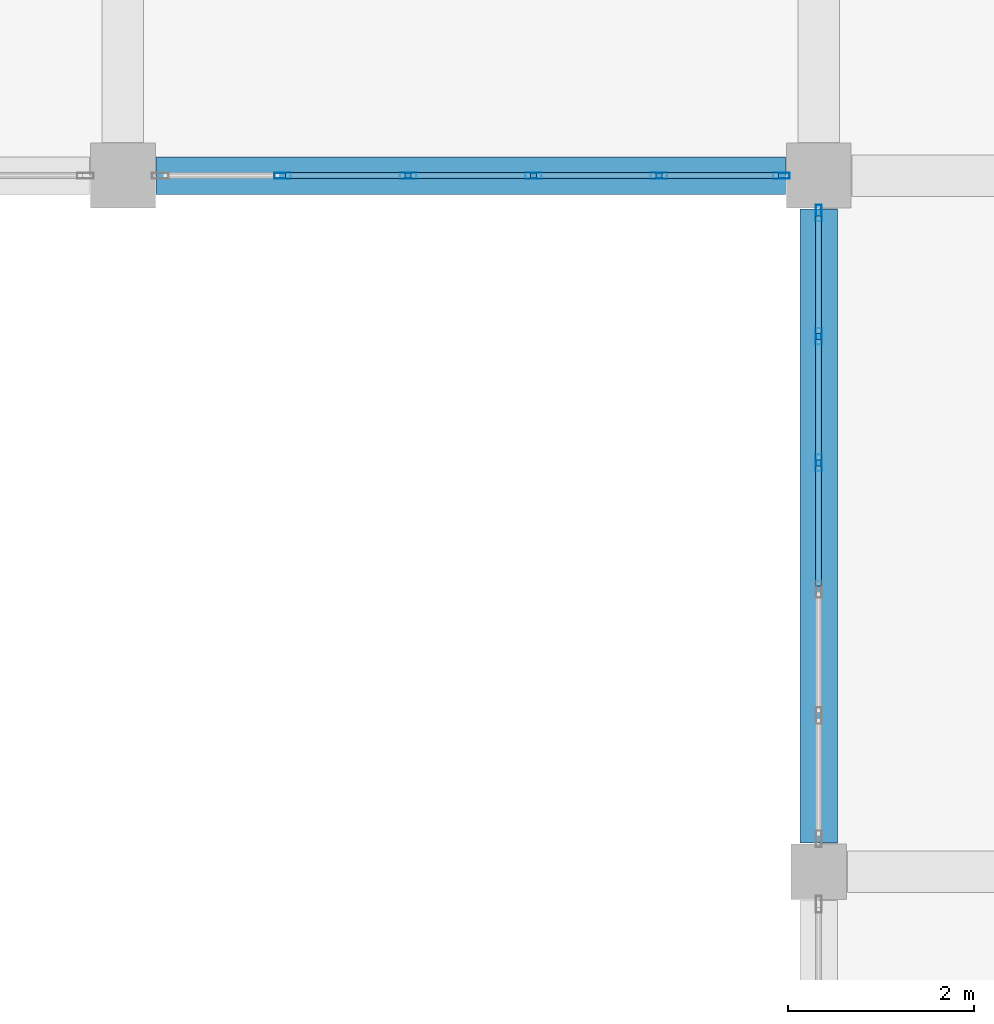
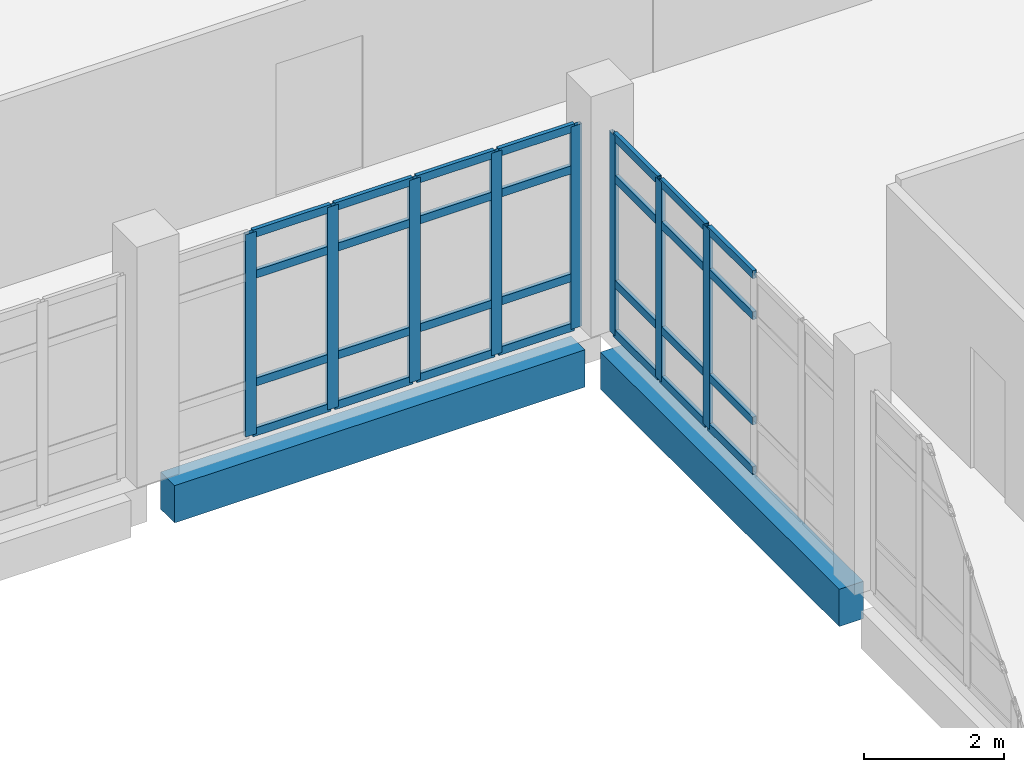
# One storey, part 28 of 164: 36 members, 2 beams, 2 elements without a shape of their own.
"""IFC4 building model written with IfcOpenShell, lengths in metres."""

from ifc_helpers import new_model, si_unit, direction, frame, origin, origin_2d, place, context, subcontext, project, spatial, rectangle, hollow_rectangle, extrude, material, layer, layer_set, material_profile, profile_set, type_object, element, aggregate, save


model = new_model("IFC4")

# Units and contexts
model_context = context("Model", 3, precision=1e-05, world=origin(), true_north=direction((0.0, 1.0)))
body_context = subcontext(model_context, "Body", "Model", "MODEL_VIEW")
ifc_project = project(units=[si_unit("LENGTHUNIT", "METRE"), si_unit("AREAUNIT", "SQUARE_METRE"), si_unit("VOLUMEUNIT", "CUBIC_METRE"), si_unit("PLANEANGLEUNIT", "RADIAN"), si_unit("MASSUNIT", "GRAM", prefix="KILO")], contexts=[model_context])

# Site, building, storey
site_placement = place(None, origin())
site = spatial("IfcSite", under=ifc_project, at=site_placement, CompositionType="ELEMENT")
building_placement = place(site_placement, origin())
building = spatial("IfcBuilding", under=site, at=building_placement, Name="Mawjan Specialist Oncology Clinic", CompositionType="ELEMENT")
storey_placement = place(building_placement, frame((0.0, 0.0, 5.0)))
storey = spatial("IfcBuildingStorey", under=building, at=storey_placement, Name="L01", CompositionType="ELEMENT", Elevation=5.0)

# Curtain wall, members
ifc_material_1 = material(Name="Unitised spectrally selective aluminium curtain wall", Category="aluminium")
ifc_layer_1 = layer(ifc_material_1, 0.179931640625, Name="Unitised spectrally selective aluminium curtain wall", Category="aluminium")
ifc_layer_set_1 = layer_set([ifc_layer_1], Name="Unitised spectrally selective aluminium curtain wall")
curtain_wall_type_1 = type_object("IfcCurtainWallType", Name="CW-80", PredefinedType="NOTDEFINED", material=ifc_layer_set_1)
curtain_wall_1_placement = place(storey_placement, origin())
curtain_wall_1 = element("IfcCurtainWall", 1, at=curtain_wall_1_placement, inside=storey, type_object=curtain_wall_type_1, Name="L01 Unitised Curtain Wall CW-L01-160", PredefinedType="NOTDEFINED")
ifc_material_2 = material(Name="Thermally broken aluminium 6063-T6", Category="aluminium")
ifc_material_profile_1 = material_profile(ifc_material_2, hollow_rectangle(XDim=0.06494140625, YDim=0.179931640625, WallThickness=0.00390625, at=origin_2d()), Name="ALU MULLION 180x65x4", Category="aluminium")
ifc_profile_set_1 = profile_set([ifc_material_profile_1], Name="Thermally broken aluminium 6063-T6")
member_type_1 = type_object("IfcMemberType", Name="CW-M180", PredefinedType="MULLION", material=ifc_profile_set_1)
member_1_placement = place(storey_placement, frame((30.0, 27.7060546875, 0.0), z_axis=(0.0, 0.0, 1.0), x_axis=(-1.0, 0.0, 0.0)))
member_1 = element("IfcMember", 2, at=member_1_placement, type_object=member_type_1, Name="CW-80 mullion 4", PredefinedType="MULLION", context=body_context, shape_type="SweptSolid", body=[
    extrude(hollow_rectangle(XDim=0.06494140625, YDim=0.179931640625, WallThickness=0.00390625, at=origin_2d()), origin(), (0.0, 0.0, 1.0), 3.485107421875),
])
member_2_placement = place(storey_placement, frame((30.0, 29.068115234375, 0.0), z_axis=(0.0, 0.0, 1.0), x_axis=(-1.0, 0.0, 0.0)))
member_2 = element("IfcMember", 3, at=member_2_placement, type_object=member_type_1, Name="CW-80 mullion 5", PredefinedType="MULLION", context=body_context, shape_type="SweptSolid", body=[
    extrude(hollow_rectangle(XDim=0.06494140625, YDim=0.179931640625, WallThickness=0.00390625, at=origin_2d()), origin(), (0.0, 0.0, 1.0), 3.485107421875),
])
member_3_placement = place(storey_placement, frame((30.0, 30.3974609375, 0.0), z_axis=(0.0, 0.0, 1.0), x_axis=(-1.0, 0.0, 0.0)))
member_3 = element("IfcMember", 4, at=member_3_placement, type_object=member_type_1, Name="CW-80 mullion 6", PredefinedType="MULLION", context=body_context, shape_type="SweptSolid", body=[
    extrude(hollow_rectangle(XDim=0.06494140625, YDim=0.179931640625, WallThickness=0.00390625, at=origin_2d()), origin(), (0.0, 0.0, 1.0), 3.485107421875),
])

ifc_material_3 = material(Name="Unitised spectrally selective aluminium curtain wall", Category="aluminium")
ifc_layer_2 = layer(ifc_material_3, 0.179931640625, Name="Unitised spectrally selective aluminium curtain wall", Category="aluminium")
ifc_layer_set_2 = layer_set([ifc_layer_2], Name="Unitised spectrally selective aluminium curtain wall")
curtain_wall_type_2 = type_object("IfcCurtainWallType", Name="CW-73", PredefinedType="NOTDEFINED", material=ifc_layer_set_2)
curtain_wall_2_placement = place(storey_placement, origin())
curtain_wall_2 = element("IfcCurtainWall", 5, at=curtain_wall_2_placement, inside=storey, type_object=curtain_wall_type_2, Name="L01 Unitised Curtain Wall CW-L01-161", PredefinedType="NOTDEFINED")
member_4_placement = place(storey_placement, frame((29.597412109375, 30.800048828125, 0.0), z_axis=(0.0, 0.0, 1.0), x_axis=(0.0, -1.0, 0.0)))
member_4 = element("IfcMember", 6, at=member_4_placement, type_object=member_type_1, Name="CW-73 mullion 1", PredefinedType="MULLION", context=body_context, shape_type="SweptSolid", body=[
    extrude(hollow_rectangle(XDim=0.06494140625, YDim=0.179931640625, WallThickness=0.00390625, at=origin_2d()), origin(), (0.0, 0.0, 1.0), 3.534912109375),
])
member_5_placement = place(storey_placement, frame((28.278076171875, 30.800048828125, 0.0), z_axis=(0.0, 0.0, 1.0), x_axis=(0.0, -1.0, 0.0)))
member_5 = element("IfcMember", 7, at=member_5_placement, type_object=member_type_1, Name="CW-73 mullion 2", PredefinedType="MULLION", context=body_context, shape_type="SweptSolid", body=[
    extrude(hollow_rectangle(XDim=0.06494140625, YDim=0.179931640625, WallThickness=0.00390625, at=origin_2d()), origin(), (0.0, 0.0, 1.0), 3.534912109375),
])
member_6_placement = place(storey_placement, frame((26.926025390625, 30.800048828125, 0.0), z_axis=(0.0, 0.0, 1.0), x_axis=(0.0, -1.0, 0.0)))
member_6 = element("IfcMember", 8, at=member_6_placement, type_object=member_type_1, Name="CW-73 mullion 3", PredefinedType="MULLION", context=body_context, shape_type="SweptSolid", body=[
    extrude(hollow_rectangle(XDim=0.06494140625, YDim=0.179931640625, WallThickness=0.00390625, at=origin_2d()), origin(), (0.0, 0.0, 1.0), 3.534912109375),
])
member_7_placement = place(storey_placement, frame((25.573974609375, 30.800048828125, 0.0), z_axis=(0.0, 0.0, 1.0), x_axis=(0.0, -1.0, 0.0)))
member_7 = element("IfcMember", 9, at=member_7_placement, type_object=member_type_1, Name="CW-73 mullion 4", PredefinedType="MULLION", context=body_context, shape_type="SweptSolid", body=[
    extrude(hollow_rectangle(XDim=0.06494140625, YDim=0.179931640625, WallThickness=0.00390625, at=origin_2d()), origin(), (0.0, 0.0, 1.0), 3.534912109375),
])
member_8_placement = place(storey_placement, frame((24.221923828125, 30.800048828125, 0.0), z_axis=(0.0, 0.0, 1.0), x_axis=(0.0, -1.0, 0.0)))
member_8 = element("IfcMember", 10, at=member_8_placement, type_object=member_type_1, Name="CW-73 mullion 5", PredefinedType="MULLION", context=body_context, shape_type="SweptSolid", body=[
    extrude(hollow_rectangle(XDim=0.06494140625, YDim=0.179931640625, WallThickness=0.00390625, at=origin_2d()), origin(), (0.0, 0.0, 1.0), 3.534912109375),
])

# Member
ifc_material_4 = material(Name="Thermally broken aluminium 6063-T6", Category="aluminium")
ifc_material_profile_2 = material_profile(ifc_material_4, hollow_rectangle(XDim=0.06494140625, YDim=0.139892578125, WallThickness=0.00390625, at=origin_2d()), Name="ALU TRANSOM 140x65x4", Category="aluminium")
ifc_profile_set_2 = profile_set([ifc_material_profile_2], Name="Thermally broken aluminium 6063-T6")
member_type_2 = type_object("IfcMemberType", Name="CW-T140", PredefinedType="USERDEFINED", material=ifc_profile_set_2)
member_9_placement = place(storey_placement, frame((30.0, 26.37646484375, 0.032470703125), z_axis=(0.0, 1.0, 0.0), x_axis=(-1.0, 0.0, 0.0)))
member_9 = element("IfcMember", 11, at=member_9_placement, type_object=member_type_2, Name="CW-80 transom 3.1", ObjectType="TRANSOM", PredefinedType="USERDEFINED", context=body_context, shape_type="SweptSolid", body=[
    extrude(hollow_rectangle(XDim=0.06494140625, YDim=0.139892578125, WallThickness=0.00390625, at=origin_2d()), origin(), (0.0, 0.0, 1.0), 1.297119140625),
])

member_10_placement = place(storey_placement, frame((30.0, 26.37646484375, 0.89990234375), z_axis=(0.0, 1.0, 0.0), x_axis=(-1.0, 0.0, 0.0)))
member_10 = element("IfcMember", 12, at=member_10_placement, type_object=member_type_2, Name="CW-80 transom 3.2", ObjectType="TRANSOM", PredefinedType="USERDEFINED", context=body_context, shape_type="SweptSolid", body=[
    extrude(hollow_rectangle(XDim=0.06494140625, YDim=0.139892578125, WallThickness=0.00390625, at=origin_2d()), origin(), (0.0, 0.0, 1.0), 1.297119140625),
])

member_11_placement = place(storey_placement, frame((30.0, 26.37646484375, 2.735107421875), z_axis=(0.0, 1.0, 0.0), x_axis=(-1.0, 0.0, 0.0)))
member_11 = element("IfcMember", 13, at=member_11_placement, type_object=member_type_2, Name="CW-80 transom 3.3", ObjectType="TRANSOM", PredefinedType="USERDEFINED", context=body_context, shape_type="SweptSolid", body=[
    extrude(hollow_rectangle(XDim=0.06494140625, YDim=0.139892578125, WallThickness=0.00390625, at=origin_2d()), origin(), (0.0, 0.0, 1.0), 1.297119140625),
])

member_12_placement = place(storey_placement, frame((30.0, 26.37646484375, 3.452392578125), z_axis=(0.0, 1.0, 0.0), x_axis=(-1.0, 0.0, 0.0)))
member_12 = element("IfcMember", 14, at=member_12_placement, type_object=member_type_2, Name="CW-80 transom 3.4", ObjectType="TRANSOM", PredefinedType="USERDEFINED", context=body_context, shape_type="SweptSolid", body=[
    extrude(hollow_rectangle(XDim=0.06494140625, YDim=0.139892578125, WallThickness=0.00390625, at=origin_2d()), origin(), (0.0, 0.0, 1.0), 1.297119140625),
])

member_13_placement = place(storey_placement, frame((30.0, 27.738525390625, 0.032470703125), z_axis=(0.0, 1.0, 0.0), x_axis=(-1.0, 0.0, 0.0)))
member_13 = element("IfcMember", 15, at=member_13_placement, type_object=member_type_2, Name="CW-80 transom 4.1", ObjectType="TRANSOM", PredefinedType="USERDEFINED", context=body_context, shape_type="SweptSolid", body=[
    extrude(hollow_rectangle(XDim=0.06494140625, YDim=0.139892578125, WallThickness=0.00390625, at=origin_2d()), origin(), (0.0, 0.0, 1.0), 1.296875),
])

member_14_placement = place(storey_placement, frame((30.0, 27.738525390625, 0.89990234375), z_axis=(0.0, 1.0, 0.0), x_axis=(-1.0, 0.0, 0.0)))
member_14 = element("IfcMember", 16, at=member_14_placement, type_object=member_type_2, Name="CW-80 transom 4.2", ObjectType="TRANSOM", PredefinedType="USERDEFINED", context=body_context, shape_type="SweptSolid", body=[
    extrude(hollow_rectangle(XDim=0.06494140625, YDim=0.139892578125, WallThickness=0.00390625, at=origin_2d()), origin(), (0.0, 0.0, 1.0), 1.296875),
])

member_15_placement = place(storey_placement, frame((30.0, 27.738525390625, 2.735107421875), z_axis=(0.0, 1.0, 0.0), x_axis=(-1.0, 0.0, 0.0)))
member_15 = element("IfcMember", 17, at=member_15_placement, type_object=member_type_2, Name="CW-80 transom 4.3", ObjectType="TRANSOM", PredefinedType="USERDEFINED", context=body_context, shape_type="SweptSolid", body=[
    extrude(hollow_rectangle(XDim=0.06494140625, YDim=0.139892578125, WallThickness=0.00390625, at=origin_2d()), origin(), (0.0, 0.0, 1.0), 1.296875),
])

member_16_placement = place(storey_placement, frame((30.0, 27.738525390625, 3.452392578125), z_axis=(0.0, 1.0, 0.0), x_axis=(-1.0, 0.0, 0.0)))
member_16 = element("IfcMember", 18, at=member_16_placement, type_object=member_type_2, Name="CW-80 transom 4.4", ObjectType="TRANSOM", PredefinedType="USERDEFINED", context=body_context, shape_type="SweptSolid", body=[
    extrude(hollow_rectangle(XDim=0.06494140625, YDim=0.139892578125, WallThickness=0.00390625, at=origin_2d()), origin(), (0.0, 0.0, 1.0), 1.296875),
])

member_17_placement = place(storey_placement, frame((30.0, 29.1005859375, 0.032470703125), z_axis=(0.0, 1.0, 0.0), x_axis=(-1.0, 0.0, 0.0)))
member_17 = element("IfcMember", 19, at=member_17_placement, type_object=member_type_2, Name="CW-80 transom 5.1", ObjectType="TRANSOM", PredefinedType="USERDEFINED", context=body_context, shape_type="SweptSolid", body=[
    extrude(hollow_rectangle(XDim=0.06494140625, YDim=0.139892578125, WallThickness=0.00390625, at=origin_2d()), origin(), (0.0, 0.0, 1.0), 1.264404296875),
])

member_18_placement = place(storey_placement, frame((30.0, 29.1005859375, 0.89990234375), z_axis=(0.0, 1.0, 0.0), x_axis=(-1.0, 0.0, 0.0)))
member_18 = element("IfcMember", 20, at=member_18_placement, type_object=member_type_2, Name="CW-80 transom 5.2", ObjectType="TRANSOM", PredefinedType="USERDEFINED", context=body_context, shape_type="SweptSolid", body=[
    extrude(hollow_rectangle(XDim=0.06494140625, YDim=0.139892578125, WallThickness=0.00390625, at=origin_2d()), origin(), (0.0, 0.0, 1.0), 1.264404296875),
])

member_19_placement = place(storey_placement, frame((30.0, 29.1005859375, 2.735107421875), z_axis=(0.0, 1.0, 0.0), x_axis=(-1.0, 0.0, 0.0)))
member_19 = element("IfcMember", 21, at=member_19_placement, type_object=member_type_2, Name="CW-80 transom 5.3", ObjectType="TRANSOM", PredefinedType="USERDEFINED", context=body_context, shape_type="SweptSolid", body=[
    extrude(hollow_rectangle(XDim=0.06494140625, YDim=0.139892578125, WallThickness=0.00390625, at=origin_2d()), origin(), (0.0, 0.0, 1.0), 1.264404296875),
])

member_20_placement = place(storey_placement, frame((30.0, 29.1005859375, 3.452392578125), z_axis=(0.0, 1.0, 0.0), x_axis=(-1.0, 0.0, 0.0)))
member_20 = element("IfcMember", 22, at=member_20_placement, type_object=member_type_2, Name="CW-80 transom 5.4", ObjectType="TRANSOM", PredefinedType="USERDEFINED", context=body_context, shape_type="SweptSolid", body=[
    extrude(hollow_rectangle(XDim=0.06494140625, YDim=0.139892578125, WallThickness=0.00390625, at=origin_2d()), origin(), (0.0, 0.0, 1.0), 1.264404296875),
])

aggregate(curtain_wall_1, [member_1, member_2, member_3, member_9, member_10, member_11, member_12, member_13, member_14, member_15, member_16, member_17, member_18, member_19, member_20])

member_21_placement = place(storey_placement, frame((29.56494140625, 30.800048828125, 0.032470703125), z_axis=(-1.0, 0.0, 0.0), x_axis=(0.0, -1.0, 0.0)))
member_21 = element("IfcMember", 23, at=member_21_placement, type_object=member_type_2, Name="CW-73 transom 1.1", ObjectType="TRANSOM", PredefinedType="USERDEFINED", context=body_context, shape_type="SweptSolid", body=[
    extrude(hollow_rectangle(XDim=0.06494140625, YDim=0.139892578125, WallThickness=0.00390625, at=origin_2d()), origin(), (0.0, 0.0, 1.0), 1.25439453125),
])

member_22_placement = place(storey_placement, frame((29.56494140625, 30.800048828125, 0.89990234375), z_axis=(-1.0, 0.0, 0.0), x_axis=(0.0, -1.0, 0.0)))
member_22 = element("IfcMember", 24, at=member_22_placement, type_object=member_type_2, Name="CW-73 transom 1.2", ObjectType="TRANSOM", PredefinedType="USERDEFINED", context=body_context, shape_type="SweptSolid", body=[
    extrude(hollow_rectangle(XDim=0.06494140625, YDim=0.139892578125, WallThickness=0.00390625, at=origin_2d()), origin(), (0.0, 0.0, 1.0), 1.25439453125),
])

member_23_placement = place(storey_placement, frame((29.56494140625, 30.800048828125, 2.784912109375), z_axis=(-1.0, 0.0, 0.0), x_axis=(0.0, -1.0, 0.0)))
member_23 = element("IfcMember", 25, at=member_23_placement, type_object=member_type_2, Name="CW-73 transom 1.3", ObjectType="TRANSOM", PredefinedType="USERDEFINED", context=body_context, shape_type="SweptSolid", body=[
    extrude(hollow_rectangle(XDim=0.06494140625, YDim=0.139892578125, WallThickness=0.00390625, at=origin_2d()), origin(), (0.0, 0.0, 1.0), 1.25439453125),
])

member_24_placement = place(storey_placement, frame((29.56494140625, 30.800048828125, 3.50244140625), z_axis=(-1.0, 0.0, 0.0), x_axis=(0.0, -1.0, 0.0)))
member_24 = element("IfcMember", 26, at=member_24_placement, type_object=member_type_2, Name="CW-73 transom 1.4", ObjectType="TRANSOM", PredefinedType="USERDEFINED", context=body_context, shape_type="SweptSolid", body=[
    extrude(hollow_rectangle(XDim=0.06494140625, YDim=0.139892578125, WallThickness=0.00390625, at=origin_2d()), origin(), (0.0, 0.0, 1.0), 1.25439453125),
])

member_25_placement = place(storey_placement, frame((28.24560546875, 30.800048828125, 0.032470703125), z_axis=(-1.0, 0.0, 0.0), x_axis=(0.0, -1.0, 0.0)))
member_25 = element("IfcMember", 27, at=member_25_placement, type_object=member_type_2, Name="CW-73 transom 2.1", ObjectType="TRANSOM", PredefinedType="USERDEFINED", context=body_context, shape_type="SweptSolid", body=[
    extrude(hollow_rectangle(XDim=0.06494140625, YDim=0.139892578125, WallThickness=0.00390625, at=origin_2d()), origin(), (0.0, 0.0, 1.0), 1.287109375),
])

member_26_placement = place(storey_placement, frame((28.24560546875, 30.800048828125, 0.89990234375), z_axis=(-1.0, 0.0, 0.0), x_axis=(0.0, -1.0, 0.0)))
member_26 = element("IfcMember", 28, at=member_26_placement, type_object=member_type_2, Name="CW-73 transom 2.2", ObjectType="TRANSOM", PredefinedType="USERDEFINED", context=body_context, shape_type="SweptSolid", body=[
    extrude(hollow_rectangle(XDim=0.06494140625, YDim=0.139892578125, WallThickness=0.00390625, at=origin_2d()), origin(), (0.0, 0.0, 1.0), 1.287109375),
])

member_27_placement = place(storey_placement, frame((28.24560546875, 30.800048828125, 2.784912109375), z_axis=(-1.0, 0.0, 0.0), x_axis=(0.0, -1.0, 0.0)))
member_27 = element("IfcMember", 29, at=member_27_placement, type_object=member_type_2, Name="CW-73 transom 2.3", ObjectType="TRANSOM", PredefinedType="USERDEFINED", context=body_context, shape_type="SweptSolid", body=[
    extrude(hollow_rectangle(XDim=0.06494140625, YDim=0.139892578125, WallThickness=0.00390625, at=origin_2d()), origin(), (0.0, 0.0, 1.0), 1.287109375),
])

member_28_placement = place(storey_placement, frame((28.24560546875, 30.800048828125, 3.50244140625), z_axis=(-1.0, 0.0, 0.0), x_axis=(0.0, -1.0, 0.0)))
member_28 = element("IfcMember", 30, at=member_28_placement, type_object=member_type_2, Name="CW-73 transom 2.4", ObjectType="TRANSOM", PredefinedType="USERDEFINED", context=body_context, shape_type="SweptSolid", body=[
    extrude(hollow_rectangle(XDim=0.06494140625, YDim=0.139892578125, WallThickness=0.00390625, at=origin_2d()), origin(), (0.0, 0.0, 1.0), 1.287109375),
])

member_29_placement = place(storey_placement, frame((26.8935546875, 30.800048828125, 0.032470703125), z_axis=(-1.0, 0.0, 0.0), x_axis=(0.0, -1.0, 0.0)))
member_29 = element("IfcMember", 31, at=member_29_placement, type_object=member_type_2, Name="CW-73 transom 3.1", ObjectType="TRANSOM", PredefinedType="USERDEFINED", context=body_context, shape_type="SweptSolid", body=[
    extrude(hollow_rectangle(XDim=0.06494140625, YDim=0.139892578125, WallThickness=0.00390625, at=origin_2d()), origin(), (0.0, 0.0, 1.0), 1.287109375),
])

member_30_placement = place(storey_placement, frame((26.8935546875, 30.800048828125, 0.89990234375), z_axis=(-1.0, 0.0, 0.0), x_axis=(0.0, -1.0, 0.0)))
member_30 = element("IfcMember", 32, at=member_30_placement, type_object=member_type_2, Name="CW-73 transom 3.2", ObjectType="TRANSOM", PredefinedType="USERDEFINED", context=body_context, shape_type="SweptSolid", body=[
    extrude(hollow_rectangle(XDim=0.06494140625, YDim=0.139892578125, WallThickness=0.00390625, at=origin_2d()), origin(), (0.0, 0.0, 1.0), 1.287109375),
])

member_31_placement = place(storey_placement, frame((26.8935546875, 30.800048828125, 2.784912109375), z_axis=(-1.0, 0.0, 0.0), x_axis=(0.0, -1.0, 0.0)))
member_31 = element("IfcMember", 33, at=member_31_placement, type_object=member_type_2, Name="CW-73 transom 3.3", ObjectType="TRANSOM", PredefinedType="USERDEFINED", context=body_context, shape_type="SweptSolid", body=[
    extrude(hollow_rectangle(XDim=0.06494140625, YDim=0.139892578125, WallThickness=0.00390625, at=origin_2d()), origin(), (0.0, 0.0, 1.0), 1.287109375),
])

member_32_placement = place(storey_placement, frame((26.8935546875, 30.800048828125, 3.50244140625), z_axis=(-1.0, 0.0, 0.0), x_axis=(0.0, -1.0, 0.0)))
member_32 = element("IfcMember", 34, at=member_32_placement, type_object=member_type_2, Name="CW-73 transom 3.4", ObjectType="TRANSOM", PredefinedType="USERDEFINED", context=body_context, shape_type="SweptSolid", body=[
    extrude(hollow_rectangle(XDim=0.06494140625, YDim=0.139892578125, WallThickness=0.00390625, at=origin_2d()), origin(), (0.0, 0.0, 1.0), 1.287109375),
])

member_33_placement = place(storey_placement, frame((25.54150390625, 30.800048828125, 0.032470703125), z_axis=(-1.0, 0.0, 0.0), x_axis=(0.0, -1.0, 0.0)))
member_33 = element("IfcMember", 35, at=member_33_placement, type_object=member_type_2, Name="CW-73 transom 4.1", ObjectType="TRANSOM", PredefinedType="USERDEFINED", context=body_context, shape_type="SweptSolid", body=[
    extrude(hollow_rectangle(XDim=0.06494140625, YDim=0.139892578125, WallThickness=0.00390625, at=origin_2d()), origin(), (0.0, 0.0, 1.0), 1.287109375),
])

member_34_placement = place(storey_placement, frame((25.54150390625, 30.800048828125, 0.89990234375), z_axis=(-1.0, 0.0, 0.0), x_axis=(0.0, -1.0, 0.0)))
member_34 = element("IfcMember", 36, at=member_34_placement, type_object=member_type_2, Name="CW-73 transom 4.2", ObjectType="TRANSOM", PredefinedType="USERDEFINED", context=body_context, shape_type="SweptSolid", body=[
    extrude(hollow_rectangle(XDim=0.06494140625, YDim=0.139892578125, WallThickness=0.00390625, at=origin_2d()), origin(), (0.0, 0.0, 1.0), 1.287109375),
])

member_35_placement = place(storey_placement, frame((25.54150390625, 30.800048828125, 2.784912109375), z_axis=(-1.0, 0.0, 0.0), x_axis=(0.0, -1.0, 0.0)))
member_35 = element("IfcMember", 37, at=member_35_placement, type_object=member_type_2, Name="CW-73 transom 4.3", ObjectType="TRANSOM", PredefinedType="USERDEFINED", context=body_context, shape_type="SweptSolid", body=[
    extrude(hollow_rectangle(XDim=0.06494140625, YDim=0.139892578125, WallThickness=0.00390625, at=origin_2d()), origin(), (0.0, 0.0, 1.0), 1.287109375),
])

member_36_placement = place(storey_placement, frame((25.54150390625, 30.800048828125, 3.50244140625), z_axis=(-1.0, 0.0, 0.0), x_axis=(0.0, -1.0, 0.0)))
member_36 = element("IfcMember", 38, at=member_36_placement, type_object=member_type_2, Name="CW-73 transom 4.4", ObjectType="TRANSOM", PredefinedType="USERDEFINED", context=body_context, shape_type="SweptSolid", body=[
    extrude(hollow_rectangle(XDim=0.06494140625, YDim=0.139892578125, WallThickness=0.00390625, at=origin_2d()), origin(), (0.0, 0.0, 1.0), 1.287109375),
])

aggregate(curtain_wall_2, [member_4, member_5, member_6, member_7, member_8, member_21, member_22, member_23, member_24, member_25, member_26, member_27, member_28, member_29, member_30, member_31, member_32, member_33, member_34, member_35, member_36])

# Beams
ifc_material_5 = material(Name="Concrete C45/55", Category="concrete")
ifc_material_profile_3 = material_profile(ifc_material_5, rectangle(XDim=0.39990234375, YDim=0.64990234375, at=origin_2d()), Name="RC BM 400x650", Category="concrete")
ifc_profile_set_3 = profile_set([ifc_material_profile_3], Name="Concrete C45/55")
beam_type = type_object("IfcBeamType", Name="SP-400x650", PredefinedType="SPANDREL", material=ifc_profile_set_3)
beam_1_placement = place(storey_placement, frame((22.860107421875, 30.800048828125, -0.625), z_axis=(1.0, 0.0, 0.0), x_axis=(0.0, 1.0, 0.0)))
element("IfcBeam", 39, at=beam_1_placement, inside=storey, type_object=beam_type, Name="L01 Spandrel Beam BM-L01-0247", PredefinedType="SPANDREL", context=body_context, shape_type="SweptSolid", body=[
    extrude(rectangle(XDim=0.39990234375, YDim=0.64990234375, at=origin_2d()), origin(), (0.0, 0.0, 1.0), 6.77978515625),
])
beam_2_placement = place(storey_placement, frame((30.0, 23.610107421875, -0.625), z_axis=(0.0, 1.0, 0.0), x_axis=(-1.0, 0.0, 0.0)))
element("IfcBeam", 40, at=beam_2_placement, inside=storey, type_object=beam_type, Name="L01 Spandrel Beam BM-L01-0455", PredefinedType="SPANDREL", context=body_context, shape_type="SweptSolid", body=[
    extrude(rectangle(XDim=0.39990234375, YDim=0.64990234375, at=origin_2d()), origin(), (0.0, 0.0, 1.0), 6.829833984375),
])

save(model, "model.ifc")
